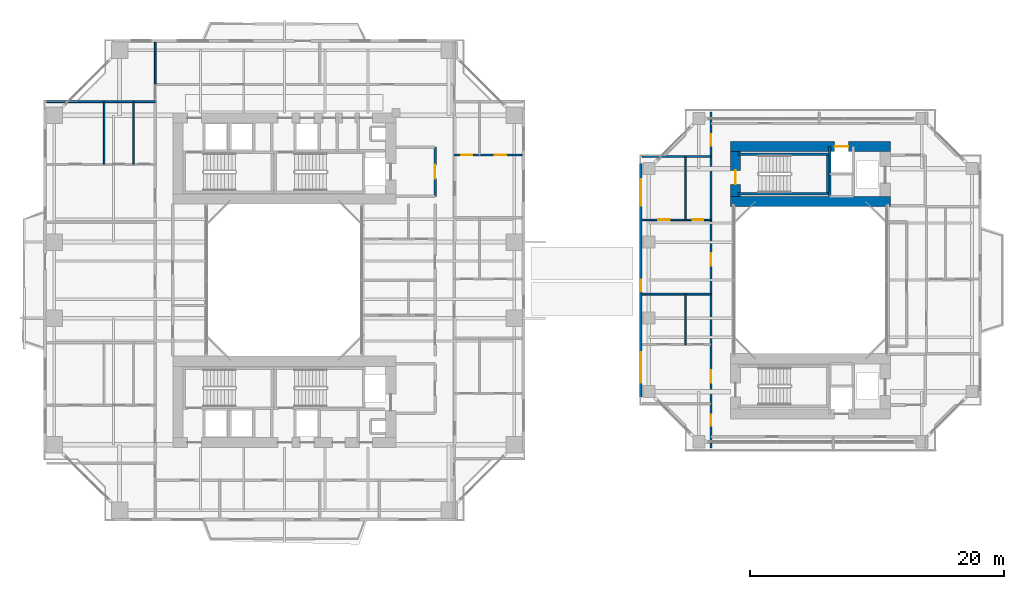
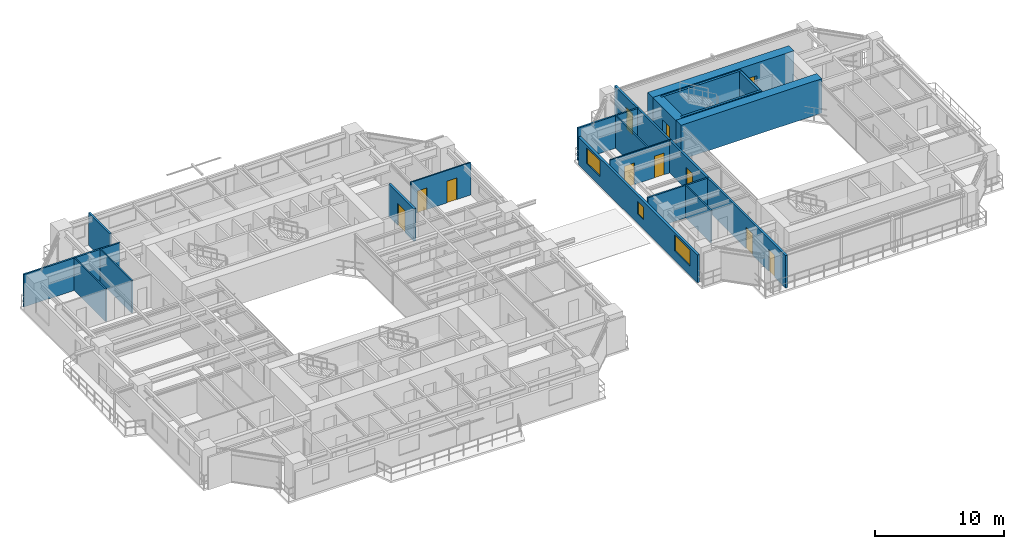
# One storey, part 15 of 23: 20 walls, 11 doors, 3 windows, 14 openings.
"""IFC4 building model written with IfcOpenShell, lengths in metres."""

import ifcopenshell
import ifcopenshell.guid

model = None  # the IFC model being written
_history = None  # IfcOwnerHistory: only IFC2X3 demands one
_inside = {}  # id of a spatial element -> (the spatial element, [elements in it])
_under = {}  # id of a project, library or spatial element -> (it, [spatial elements below it])
_declared = {}  # id of a project -> (the project, [libraries it declares])
_typed = {}  # id of a type object -> (the type object, [elements of that type])
_made_of = {}  # id of a material, layer set ... -> (it, [elements and type objects made of it])


def new_model(schema):
    """Start an empty IFC model of exactly this schema.

    Asked for "IFC4X3", IfcOpenShell would pick the latest addendum, in which some entities
    have other attributes; the version numbers below select the first issue.
    IFC2X3 requires an IfcOwnerHistory on every rooted entity: one is made here for all.
    """
    global model, _history
    if schema == "IFC4X3":
        model = ifcopenshell.file(schema_version=(4, 3, 0, 0))
    else:
        model = ifcopenshell.file(schema=schema)
    _inside.clear()
    _under.clear()
    _declared.clear()
    _typed.clear()
    _made_of.clear()
    _history = None
    if model.schema == "IFC2X3":
        org = make("IfcOrganization", Name="unknown")
        user = make(
            "IfcPersonAndOrganization",
            ThePerson=make("IfcPerson", FamilyName="unknown"),
            TheOrganization=org,
        )
        app = make(
            "IfcApplication",
            ApplicationDeveloper=org,
            Version="unknown",
            ApplicationFullName="unknown",
            ApplicationIdentifier="unknown",
        )
        _history = make(
            "IfcOwnerHistory",
            OwningUser=user,
            OwningApplication=app,
            ChangeAction="ADDED",
            CreationDate=0,
        )
    return model


def make(cls, **values):
    """One entity of the class cls with the attributes given. An attribute that is None is left unset."""
    return model.create_entity(
        cls, **{name: value for name, value in values.items() if value is not None}
    )


def rooted(cls, **values):
    """An entity with a GlobalId (a new one), such as an element, a storey or a relation."""
    return make(cls, GlobalId=ifcopenshell.guid.new(), OwnerHistory=_history, **values)


def si_unit(unit_type, name, prefix=None):
    """IfcSIUnit, for example si_unit("LENGTHUNIT", "METRE", prefix="MILLI")."""
    return make("IfcSIUnit", UnitType=unit_type, Prefix=prefix, Name=name)


def assignment(units):
    """IfcUnitAssignment: the units of a project."""
    return None if units is None else make("IfcUnitAssignment", Units=units)


def point(xyz):
    """IfcCartesianPoint."""
    return None if xyz is None else make("IfcCartesianPoint", Coordinates=xyz)


def direction(xyz):
    """IfcDirection."""
    return None if xyz is None else make("IfcDirection", DirectionRatios=xyz)


def frame(location, z_axis=None, x_axis=None):
    """IfcAxis2Placement3D, a coordinate frame: its origin and axes. An axis left out is left unset."""
    return make(
        "IfcAxis2Placement3D",
        Location=point(location),
        Axis=direction(z_axis),
        RefDirection=direction(x_axis),
    )


def frame_2d(location, x_axis=None):
    """IfcAxis2Placement2D, a coordinate frame in the plane: its origin and x axis."""
    return make(
        "IfcAxis2Placement2D", Location=point(location), RefDirection=direction(x_axis)
    )


def origin():
    """The frame at (0, 0, 0) with its axes left unset."""
    return frame((0.0, 0.0, 0.0))


def place(relative_to, where):
    """IfcLocalPlacement: puts the frame where relative to a parent placement (None: the world)."""
    return make(
        "IfcLocalPlacement", PlacementRelTo=relative_to, RelativePlacement=where
    )


def context(
    kind, dimensions, precision=None, world=None, true_north=None, identifier=None
):
    """IfcGeometricRepresentationContext, for example the 3D "Model" context."""
    return make(
        "IfcGeometricRepresentationContext",
        ContextIdentifier=identifier,
        ContextType=kind,
        CoordinateSpaceDimension=dimensions,
        Precision=precision,
        WorldCoordinateSystem=world,
        TrueNorth=true_north,
    )


def subcontext(parent, identifier, kind, view, scale=None):
    """IfcGeometricRepresentationSubContext, for example "Body" below "Model"."""
    return make(
        "IfcGeometricRepresentationSubContext",
        ContextIdentifier=identifier,
        ContextType=kind,
        ParentContext=parent,
        TargetScale=scale,
        TargetView=view,
    )


def project(units=None, contexts=None):
    """IfcProject with its units and contexts."""
    return rooted(
        "IfcProject",
        Name="project",
        RepresentationContexts=contexts,
        UnitsInContext=assignment(units),
    )


def spatial(cls, under=None, at=None, **own):
    """A site, building, storey or space (cls), placed at a placement, below another one or the project."""
    s = rooted(cls, ObjectPlacement=at, **own)
    if under is not None:
        _under.setdefault(under.id(), (under, []))[1].append(s)
    return s


def profile(cls, at=None, kind="AREA", **sizes):
    """A parametric profile (cls). Its sizes go by their IFC names, for example OverallWidth=200.0."""
    return make(cls, ProfileType=kind, Position=at, **sizes)


def rectangle(**sizes):
    """IfcRectangleProfileDef."""
    return profile("IfcRectangleProfileDef", **sizes)


def extrude(swept, where, along, depth):
    """IfcExtrudedAreaSolid: the profile swept, set in the frame where, extruded along a direction by depth."""
    return make(
        "IfcExtrudedAreaSolid",
        SweptArea=swept,
        Position=where,
        ExtrudedDirection=direction(along),
        Depth=depth,
    )


def shape(context_of_items, identifier, shape_type, items):
    """IfcShapeRepresentation: the items that make up one representation, for example the "Body"."""
    return make(
        "IfcShapeRepresentation",
        ContextOfItems=context_of_items,
        RepresentationIdentifier=identifier,
        RepresentationType=shape_type,
        Items=items,
    )


def source(mapping_origin, context_of_items, identifier, shape_type, items):
    """IfcRepresentationMap: a shape defined once, which mapped items show again and again."""
    return make(
        "IfcRepresentationMap",
        MappingOrigin=mapping_origin,
        MappedRepresentation=shape(context_of_items, identifier, shape_type, items),
    )


def transform(
    local_origin,
    x_axis=None,
    y_axis=None,
    z_axis=None,
    scale=None,
    scale2=None,
    scale3=None,
    uniform=True,
):
    """IfcCartesianTransformationOperator3D, or its non-uniform kind. x_axis, y_axis, z_axis: its Axis1, 2, 3."""
    if uniform:
        return make(
            "IfcCartesianTransformationOperator3D",
            Axis1=direction(x_axis),
            Axis2=direction(y_axis),
            LocalOrigin=point(local_origin),
            Scale=scale,
            Axis3=direction(z_axis),
        )
    return make(
        "IfcCartesianTransformationOperator3DnonUniform",
        Axis1=direction(x_axis),
        Axis2=direction(y_axis),
        LocalOrigin=point(local_origin),
        Scale=scale,
        Axis3=direction(z_axis),
        Scale2=scale2,
        Scale3=scale3,
    )


def mapped(mapping_source, mapping_target):
    """IfcMappedItem: shows the shape of a source again, moved by a transform."""
    return make(
        "IfcMappedItem", MappingSource=mapping_source, MappingTarget=mapping_target
    )


def material(Name=None, Category=None):
    """IfcMaterial."""
    return make("IfcMaterial", Name=Name, Category=Category)


def layer(
    of_material, thickness, ventilated=None, Name=None, Category=None, Priority=None
):
    """IfcMaterialLayer: one layer of a wall or slab, of a material (None: an air gap)."""
    return make(
        "IfcMaterialLayer",
        Material=of_material,
        LayerThickness=thickness,
        IsVentilated=ventilated,
        Name=Name,
        Category=Category,
        Priority=Priority,
    )


def layer_set(layers, Name=None):
    """IfcMaterialLayerSet."""
    return make("IfcMaterialLayerSet", MaterialLayers=layers, LayerSetName=Name)


def made_of(thing, what):
    """Note that an element or type object is made of a material, layer set ...; save() writes the relation."""
    if what is not None:
        _made_of.setdefault(what.id(), (what, []))[1].append(thing)
    return thing


def type_object(cls, material=None, **own):
    """A type object (cls), such as IfcWallType, which elements share."""
    return made_of(rooted(cls, **own), material)


def element(
    cls,
    number,
    at=None,
    inside=None,
    cuts=None,
    type_object=None,
    material=None,
    context=None,
    identifier="Body",
    shape_type=None,
    held_by="IfcProductDefinitionShape",
    body=None,
    shapes=None,
    **own,
):
    """One element of the class cls, such as IfcWall. Its Tag is "e" and its number.

    at: its placement. inside: the storey or other place that contains it. cuts: it is an
    opening in that element (IfcRelVoidsElement). A single representation is given by context,
    identifier, shape_type and body (its items); several are given by shapes. held_by: the class
    of the entity that holds the representations. save() writes the other relations.
    """
    e = rooted(cls, Tag="e%d" % number, ObjectPlacement=at, **own)
    if body is not None:
        shapes = [shape(context, identifier, shape_type, body)]
    if shapes is not None:
        e.Representation = make(held_by, Representations=shapes)
    if inside is not None:
        _inside.setdefault(inside.id(), (inside, []))[1].append(e)
    if cuts is not None:
        rooted(
            "IfcRelVoidsElement", RelatingBuildingElement=cuts, RelatedOpeningElement=e
        )
    if type_object is not None:
        _typed.setdefault(type_object.id(), (type_object, []))[1].append(e)
    return made_of(e, material)


def fill(opening, filler):
    """IfcRelFillsElement: the door or window that sits in an opening."""
    return rooted(
        "IfcRelFillsElement",
        RelatingOpeningElement=opening,
        RelatedBuildingElement=filler,
    )


def aggregate(whole, parts):
    """IfcRelAggregates: a whole, such as a stair, and the parts it consists of."""
    return rooted("IfcRelAggregates", RelatingObject=whole, RelatedObjects=parts)


def save(model, path):
    """Write the relations noted so far, then the file.

    IfcRelAggregates (storeys below a building ...), IfcRelContainedInSpatialStructure (elements
    in a storey), IfcRelDefinesByType, IfcRelAssociatesMaterial and IfcRelDeclares: one each for
    every whole, place, type object, material and project.
    """
    for whole, parts in _under.values():
        aggregate(whole, parts)
    for where, things in _inside.values():
        rooted(
            "IfcRelContainedInSpatialStructure",
            RelatedElements=things,
            RelatingStructure=where,
        )
    for kind, things in _typed.values():
        rooted("IfcRelDefinesByType", RelatedObjects=things, RelatingType=kind)
    for what, things in _made_of.values():
        rooted("IfcRelAssociatesMaterial", RelatedObjects=things, RelatingMaterial=what)
    for by, libraries in _declared.values():
        rooted("IfcRelDeclares", RelatingContext=by, RelatedDefinitions=libraries)
    model.write(path)


model = new_model("IFC4")

# Units and contexts
model_context = context("Model", 3, precision=1e-05, world=origin(), true_north=direction((0.0, 1.0)))
body_context = subcontext(model_context, "Body", "Model", "MODEL_VIEW")
ifc_project = project(units=[si_unit("LENGTHUNIT", "METRE"), si_unit("AREAUNIT", "SQUARE_METRE"), si_unit("VOLUMEUNIT", "CUBIC_METRE"), si_unit("PLANEANGLEUNIT", "RADIAN"), si_unit("MASSUNIT", "GRAM", prefix="KILO"), si_unit("THERMODYNAMICTEMPERATUREUNIT", "KELVIN"), si_unit("POWERUNIT", "WATT")], contexts=[model_context])

# Site, building, storey
site_placement = place(None, origin())
site = spatial("IfcSite", under=ifc_project, at=site_placement, CompositionType="ELEMENT")
building_placement = place(site_placement, origin())
building = spatial("IfcBuilding", under=site, at=building_placement, Name="Qiaomeng Ring Towers", CompositionType="ELEMENT")
storey_placement = place(building_placement, frame((0.0, 0.0, 50.25)))
storey = spatial("IfcBuildingStorey", under=building, at=storey_placement, Name="L13", CompositionType="ELEMENT", Elevation=50.25)

# Wall, openings, windows
ifc_material_1 = material(Name="Precast concrete C40", Category="concrete")
ifc_layer_1 = layer(ifc_material_1, 0.219970703125, Name="Precast concrete C40")
ifc_layer_set_1 = layer_set([ifc_layer_1], Name="Precast concrete C40")
wall_type_1 = type_object("IfcWallType", Name="ARC-WL-EW2", PredefinedType="STANDARD", material=ifc_layer_set_1)
wall_1_placement = place(storey_placement, frame((47.110107421875, 13.800048828125, 0.0), z_axis=(0.0, 0.0, 1.0), x_axis=(0.0, 1.0, 0.0)))
wall_1 = element("IfcWall", 1, at=wall_1_placement, inside=storey, type_object=wall_type_1, Name="L13 Companion West Wall", PredefinedType="STANDARD", context=body_context, shape_type="SweptSolid", body=[
    extrude(rectangle(XDim=18.39990234375, YDim=0.219970703125, at=frame_2d((9.199951171875, 0.0))), origin(), (0.0, 0.0, 1.0), 2.610107421875),
])
opening_1_placement = place(wall_1_placement, frame((1.10009765625, 0.0, 0.89990234375)))
opening_1 = element("IfcOpeningElement", 2, at=opening_1_placement, cuts=wall_1, Name="Opening WN6", PredefinedType="OPENING", context=body_context, shape_type="SweptSolid", body=[
    extrude(rectangle(XDim=2.39990234375, YDim=1.47998046875, at=frame_2d((1.199951171875, 0.739990234375))), frame((0.0, 0.119873046875, 0.0), z_axis=(0.0, -1.0, 0.0), x_axis=(1.0, 0.0, 0.0)), (0.0, 0.0, 1.0), 0.239990234375),
])
opening_2_placement = place(wall_1_placement, frame((15.050048828125, 0.0, 0.89990234375)))
opening_2 = element("IfcOpeningElement", 3, at=opening_2_placement, cuts=wall_1, Name="Opening WN4", PredefinedType="OPENING", context=body_context, shape_type="SweptSolid", body=[
    extrude(rectangle(XDim=2.10009765625, YDim=1.47998046875, at=frame_2d((1.050048828125, 0.739990234375))), frame((0.0, 0.119873046875, 0.0), z_axis=(0.0, -1.0, 0.0), x_axis=(1.0, 0.0, 0.0)), (0.0, 0.0, 1.0), 0.239990234375),
])
opening_3_placement = place(wall_1_placement, frame((8.3349609375, 0.0, 0.89990234375)))
opening_3 = element("IfcOpeningElement", 4, at=opening_3_placement, cuts=wall_1, Name="Opening WN5", PredefinedType="OPENING", context=body_context, shape_type="SweptSolid", body=[
    extrude(rectangle(XDim=0.89990234375, YDim=1.199951171875, at=frame_2d((0.449951171875, 0.60009765625))), frame((0.0, 0.119873046875, 0.0), z_axis=(0.0, -1.0, 0.0), x_axis=(1.0, 0.0, 0.0)), (0.0, 0.0, 1.0), 0.239990234375),
])
ifc_material_2 = material(Name="Low-E dark-grey laminated double glazing", Category="glass")
window_type_1 = type_object("IfcWindowType", Name="ARC-WN-4", PartitioningType="TRIPLE_PANEL_VERTICAL", PredefinedType="WINDOW", material=ifc_material_2)
shared_shape_1 = source(origin(), body_context, "Body", "SweptSolid", [
    extrude(rectangle(XDim=2.10009765625, YDim=1.47998046875, at=frame_2d((1.050048828125, 0.739990234375))), frame((0.0, 0.030029296875, 0.0), z_axis=(0.0, -1.0, 0.0), x_axis=(1.0, 0.0, 0.0)), (0.0, 0.0, 1.0), 0.06005859375),
])
window_1_placement = place(opening_2_placement, origin())
window_1 = element("IfcWindow", 5, at=window_1_placement, inside=storey, type_object=window_type_1, Name="L13 Exterior Window WN4", OverallHeight=1.47998046875, OverallWidth=2.10009765625, PartitioningType="TRIPLE_PANEL_VERTICAL", PredefinedType="WINDOW", context=body_context, shape_type="MappedRepresentation", body=[
    mapped(shared_shape_1, transform((0.0, 0.0, 0.0), x_axis=(1.0, 0.0, 0.0), y_axis=(0.0, 1.0, 0.0), z_axis=(0.0, 0.0, 1.0), scale=1.0)),
])
fill(opening_2, window_1)
window_type_2 = type_object("IfcWindowType", Name="ARC-WN-6", PartitioningType="TRIPLE_PANEL_VERTICAL", PredefinedType="WINDOW", material=ifc_material_2)
shared_shape_2 = source(origin(), body_context, "Body", "SweptSolid", [
    extrude(rectangle(XDim=2.39990234375, YDim=1.47998046875, at=frame_2d((1.199951171875, 0.739990234375))), frame((0.0, 0.030029296875, 0.0), z_axis=(0.0, -1.0, 0.0), x_axis=(1.0, 0.0, 0.0)), (0.0, 0.0, 1.0), 0.06005859375),
])
window_2_placement = place(opening_1_placement, origin())
window_2 = element("IfcWindow", 6, at=window_2_placement, inside=storey, type_object=window_type_2, Name="L13 Exterior Window WN6", OverallHeight=1.47998046875, OverallWidth=2.39990234375, PartitioningType="TRIPLE_PANEL_VERTICAL", PredefinedType="WINDOW", context=body_context, shape_type="MappedRepresentation", body=[
    mapped(shared_shape_2, transform((0.0, 0.0, 0.0), x_axis=(1.0, 0.0, 0.0), y_axis=(0.0, 1.0, 0.0), z_axis=(0.0, 0.0, 1.0), scale=1.0)),
])
fill(opening_1, window_2)
window_type_3 = type_object("IfcWindowType", Name="ARC-WN-5", PartitioningType="SINGLE_PANEL", PredefinedType="WINDOW", material=ifc_material_2)
shared_shape_3 = source(origin(), body_context, "Body", "SweptSolid", [
    extrude(rectangle(XDim=0.89990234375, YDim=1.199951171875, at=frame_2d((0.449951171875, 0.60009765625))), frame((0.0, 0.030029296875, 0.0), z_axis=(0.0, -1.0, 0.0), x_axis=(1.0, 0.0, 0.0)), (0.0, 0.0, 1.0), 0.06005859375),
])
window_3_placement = place(opening_3_placement, origin())
window_3 = element("IfcWindow", 7, at=window_3_placement, inside=storey, type_object=window_type_3, Name="L13 Exterior Window WN5", OverallHeight=1.199951171875, OverallWidth=0.89990234375, PartitioningType="SINGLE_PANEL", PredefinedType="WINDOW", context=body_context, shape_type="MappedRepresentation", body=[
    mapped(shared_shape_3, transform((0.0, 0.0, 0.0), x_axis=(1.0, 0.0, 0.0), y_axis=(0.0, 1.0, 0.0), z_axis=(0.0, 0.0, 1.0), scale=1.0)),
])
fill(opening_3, window_3)

# Wall, opening, door
ifc_material_3 = material(Name="Autoclaved aerated concrete block", Category="concrete")
ifc_layer_2 = layer(ifc_material_3, 0.199951171875, Name="Autoclaved aerated concrete block")
ifc_layer_set_2 = layer_set([ifc_layer_2], Name="Autoclaved aerated concrete block")
wall_type_2 = type_object("IfcWallType", Name="ARC-WL-PW1", PredefinedType="PARTITIONING", material=ifc_layer_set_2)
wall_2_placement = place(storey_placement, frame((30.89990234375, 29.60009765625, 0.0), z_axis=(0.0, 0.0, 1.0), x_axis=(0.0, 1.0, 0.0)))
wall_2 = element("IfcWall", 8, at=wall_2_placement, inside=storey, type_object=wall_type_2, Name="L13 Interior Wall PW1", PredefinedType="PARTITIONING", context=body_context, shape_type="SweptSolid", body=[
    extrude(rectangle(XDim=3.89990234375, YDim=0.199951171875, at=frame_2d((1.949951171875, 0.0))), origin(), (0.0, 0.0, 1.0), 3.070068359375),
])
opening_4_placement = place(wall_2_placement, frame((1.39990234375, 0.0, 0.0)))
opening_4 = element("IfcOpeningElement", 9, at=opening_4_placement, cuts=wall_2, Name="Opening FD3", PredefinedType="OPENING", context=body_context, shape_type="SweptSolid", body=[
    extrude(rectangle(XDim=1.10009765625, YDim=2.050048828125, at=frame_2d((0.550048828125, 1.02490234375))), frame((0.0, 0.10986328125, 0.0), z_axis=(0.0, -1.0, 0.0), x_axis=(1.0, 0.0, 0.0)), (0.0, 0.0, 1.0), 0.219970703125),
])
ifc_material_4 = material(Name="Galvanised steel", Category="steel")
door_type_1 = type_object("IfcDoorType", Name="ARC-DR-FD3", OperationType="NOTDEFINED", PredefinedType="DOOR", material=ifc_material_4)
shared_shape_4 = source(origin(), body_context, "Body", "SweptSolid", [
    extrude(rectangle(XDim=1.10009765625, YDim=2.050048828125, at=frame_2d((0.550048828125, 1.02490234375))), frame((0.0, 0.02490234375, 0.0), z_axis=(0.0, -1.0, 0.0), x_axis=(1.0, 0.0, 0.0)), (0.0, 0.0, 1.0), 0.050048828125),
])
door_1_placement = place(opening_4_placement, origin())
door_1 = element("IfcDoor", 10, at=door_1_placement, inside=storey, type_object=door_type_1, Name="L13 North FF Lobby Door", OperationType="SINGLE_SWING_RIGHT", OverallHeight=2.050048828125, OverallWidth=1.10009765625, PredefinedType="DOOR", context=body_context, shape_type="MappedRepresentation", body=[
    mapped(shared_shape_4, transform((0.0, 0.0, 0.0), x_axis=(1.0, 0.0, 0.0), y_axis=(0.0, 1.0, 0.0), z_axis=(0.0, 0.0, 1.0), scale=1.0)),
])
fill(opening_4, door_1)

# Wall, openings, doors
ifc_layer_3 = layer(ifc_material_3, 0.179931640625, Name="Autoclaved aerated concrete block")
ifc_layer_set_3 = layer_set([ifc_layer_3], Name="Autoclaved aerated concrete block")
wall_type_3 = type_object("IfcWallType", Name="ARC-WL-PW2", PredefinedType="PARTITIONING", material=ifc_layer_set_3)
wall_3_placement = place(storey_placement, frame((52.64990234375, 9.75, 0.0), z_axis=(0.0, 0.0, 1.0), x_axis=(0.0, 1.0, 0.0)))
wall_3 = element("IfcWall", 11, at=wall_3_placement, inside=storey, type_object=wall_type_3, Name="L13 Interior Wall PW2", PredefinedType="PARTITIONING", context=body_context, shape_type="SweptSolid", body=[
    extrude(rectangle(XDim=26.5, YDim=0.179931640625, at=frame_2d((13.25, 0.0))), origin(), (0.0, 0.0, 1.0), 3.070068359375),
])
opening_5_placement = place(wall_3_placement, frame((23.85009765625, 0.0, 0.0)))
opening_5 = element("IfcOpeningElement", 12, at=opening_5_placement, cuts=wall_3, Name="Opening ID1", PredefinedType="OPENING", context=body_context, shape_type="SweptSolid", body=[
    extrude(rectangle(XDim=0.89990234375, YDim=2.050048828125, at=frame_2d((0.449951171875, 1.02490234375))), frame((0.0, 0.099853515625, 0.0), z_axis=(0.0, -1.0, 0.0), x_axis=(1.0, 0.0, 0.0)), (0.0, 0.0, 1.0), 0.199951171875),
])
opening_6_placement = place(wall_3_placement, frame((1.75, 0.0, 0.0)))
opening_6 = element("IfcOpeningElement", 13, at=opening_6_placement, cuts=wall_3, Name="Opening ID1", PredefinedType="OPENING", context=body_context, shape_type="SweptSolid", body=[
    extrude(rectangle(XDim=0.89990234375, YDim=2.050048828125, at=frame_2d((0.449951171875, 1.02490234375))), frame((0.0, 0.099853515625, 0.0), z_axis=(0.0, -1.0, 0.0), x_axis=(1.0, 0.0, 0.0)), (0.0, 0.0, 1.0), 0.199951171875),
])
opening_7_placement = place(wall_3_placement, frame((5.14501953125, 0.0, 0.0)))
opening_7 = element("IfcOpeningElement", 14, at=opening_7_placement, cuts=wall_3, Name="Opening FD4", PredefinedType="OPENING", context=body_context, shape_type="SweptSolid", body=[
    extrude(rectangle(XDim=1.0, YDim=2.050048828125, at=frame_2d((0.5, 1.02490234375))), frame((0.0, 0.099853515625, 0.0), z_axis=(0.0, -1.0, 0.0), x_axis=(1.0, 0.0, 0.0)), (0.0, 0.0, 1.0), 0.199951171875),
])
opening_8_placement = place(wall_3_placement, frame((14.389892578125, 0.0, 0.0)))
opening_8 = element("IfcOpeningElement", 15, at=opening_8_placement, cuts=wall_3, Name="Opening FD4", PredefinedType="OPENING", context=body_context, shape_type="SweptSolid", body=[
    extrude(rectangle(XDim=1.0, YDim=2.050048828125, at=frame_2d((0.5, 1.02490234375))), frame((0.0, 0.099853515625, 0.0), z_axis=(0.0, -1.0, 0.0), x_axis=(1.0, 0.0, 0.0)), (0.0, 0.0, 1.0), 0.199951171875),
])
ifc_material_5 = material(Name="Engineered fire-rated oak timber", Category="wood")
door_type_2 = type_object("IfcDoorType", Name="ARC-DR-FD4", OperationType="NOTDEFINED", PredefinedType="DOOR", material=ifc_material_5)
shared_shape_5 = source(origin(), body_context, "Body", "SweptSolid", [
    extrude(rectangle(XDim=1.0, YDim=2.050048828125, at=frame_2d((0.5, 1.02490234375))), frame((0.0, 0.02490234375, 0.0), z_axis=(0.0, -1.0, 0.0), x_axis=(1.0, 0.0, 0.0)), (0.0, 0.0, 1.0), 0.050048828125),
])
door_2_placement = place(opening_7_placement, origin())
door_2 = element("IfcDoor", 16, at=door_2_placement, inside=storey, type_object=door_type_2, Name="L13 Door FD4", OperationType="SINGLE_SWING_LEFT", OverallHeight=2.050048828125, OverallWidth=1.0, PredefinedType="DOOR", context=body_context, shape_type="MappedRepresentation", body=[
    mapped(shared_shape_5, transform((0.0, 0.0, 0.0), x_axis=(1.0, 0.0, 0.0), y_axis=(0.0, 1.0, 0.0), z_axis=(0.0, 0.0, 1.0), scale=1.0)),
])
fill(opening_7, door_2)
door_3_placement = place(opening_8_placement, origin())
door_3 = element("IfcDoor", 17, at=door_3_placement, inside=storey, type_object=door_type_2, Name="L13 Door FD4", OperationType="SINGLE_SWING_RIGHT", OverallHeight=2.050048828125, OverallWidth=1.0, PredefinedType="DOOR", context=body_context, shape_type="MappedRepresentation", body=[
    mapped(shared_shape_5, transform((0.0, 0.0, 0.0), x_axis=(1.0, 0.0, 0.0), y_axis=(0.0, 1.0, 0.0), z_axis=(0.0, 0.0, 1.0), scale=1.0)),
])
fill(opening_8, door_3)
ifc_material_6 = material(Name="Engineered oak timber", Category="wood")
door_type_3 = type_object("IfcDoorType", Name="ARC-DR-ID1", OperationType="NOTDEFINED", PredefinedType="DOOR", material=ifc_material_6)
shared_shape_6 = source(origin(), body_context, "Body", "SweptSolid", [
    extrude(rectangle(XDim=0.89990234375, YDim=2.050048828125, at=frame_2d((0.449951171875, 1.02490234375))), frame((0.0, 0.02490234375, 0.0), z_axis=(0.0, -1.0, 0.0), x_axis=(1.0, 0.0, 0.0)), (0.0, 0.0, 1.0), 0.050048828125),
])
door_4_placement = place(opening_5_placement, origin())
door_4 = element("IfcDoor", 18, at=door_4_placement, inside=storey, type_object=door_type_3, Name="L13 Door ID1", OperationType="SINGLE_SWING_LEFT", OverallHeight=2.050048828125, OverallWidth=0.89990234375, PredefinedType="DOOR", context=body_context, shape_type="MappedRepresentation", body=[
    mapped(shared_shape_6, transform((0.0, 0.0, 0.0), x_axis=(1.0, 0.0, 0.0), y_axis=(0.0, 1.0, 0.0), z_axis=(0.0, 0.0, 1.0), scale=1.0)),
])
fill(opening_5, door_4)
door_5_placement = place(opening_6_placement, origin())
door_5 = element("IfcDoor", 19, at=door_5_placement, inside=storey, type_object=door_type_3, Name="L13 Door ID1", OperationType="SINGLE_SWING_RIGHT", OverallHeight=2.050048828125, OverallWidth=0.89990234375, PredefinedType="DOOR", context=body_context, shape_type="MappedRepresentation", body=[
    mapped(shared_shape_6, transform((0.0, 0.0, 0.0), x_axis=(1.0, 0.0, 0.0), y_axis=(0.0, 1.0, 0.0), z_axis=(0.0, 0.0, 1.0), scale=1.0)),
])
fill(opening_6, door_5)

# Walls
ifc_material_7 = material(Name="Gypsum fireboard steel-stud partition", Category="steel")
ifc_layer_4 = layer(ifc_material_7, 0.14990234375, Name="Gypsum fireboard steel-stud partition")
ifc_layer_set_4 = layer_set([ifc_layer_4], Name="Gypsum fireboard steel-stud partition")
wall_type_4 = type_object("IfcWallType", Name="ARC-WL-PW3", PredefinedType="PARTITIONING", material=ifc_layer_set_4)
wall_4_placement = place(storey_placement, frame((8.820068359375, 38.43994140625, 0.0), z_axis=(0.0, 0.0, 1.0), x_axis=(0.0, 1.0, 0.0)))
element("IfcWall", 20, at=wall_4_placement, inside=storey, type_object=wall_type_4, Name="L13 Interior Wall PW3", PredefinedType="PARTITIONING", context=body_context, shape_type="SweptSolid", body=[
    extrude(rectangle(XDim=3.31005859375, YDim=0.14990234375, at=frame_2d((1.655029296875, 0.0))), origin(), (0.0, 0.0, 1.0), 3.070068359375),
])
wall_5_placement = place(storey_placement, frame((0.25, 37.080078125, 0.0), z_axis=(0.0, 0.0, 1.0), x_axis=(1.0, 0.0, 0.0)))
element("IfcWall", 21, at=wall_5_placement, inside=storey, type_object=wall_type_4, Name="L13 Interior Wall PW3", PredefinedType="PARTITIONING", context=body_context, shape_type="SweptSolid", body=[
    extrude(rectangle(XDim=8.570068359375, YDim=0.14990234375, at=frame_2d((4.28515625, 0.0))), origin(), (0.0, 0.0, 1.0), 3.070068359375),
])
for number, where, z_axis, x_axis, name in (
    (22, (47.25, 32.75, 0.0), (0.0, 0.0, 1.0), (1.0, 0.0, 0.0), "L13 Interior Wall PW3"),
    (23, (47.25, 21.89990234375, 0.0), (0.0, 0.0, 1.0), (1.0, 0.0, 0.0), "L13 Interior Wall PW3"),
):
    element("IfcWall", number, at=place(storey_placement, frame(where, z_axis=z_axis, x_axis=x_axis)), inside=storey, type_object=wall_type_4, Name=name, PredefinedType="PARTITIONING", context=body_context, shape_type="SweptSolid", body=[
        extrude(rectangle(XDim=5.39990234375, YDim=0.14990234375, at=frame_2d((2.699951171875, 0.0))), origin(), (0.0, 0.0, 1.0), 3.070068359375),
    ])
ifc_material_8 = material(Name="Moisture-resistant gypsum steel-stud partition", Category="steel")
ifc_layer_5 = layer(ifc_material_8, 0.1201171875, Name="Moisture-resistant gypsum steel-stud partition")
ifc_layer_set_5 = layer_set([ifc_layer_5], Name="Moisture-resistant gypsum steel-stud partition")
wall_type_5 = type_object("IfcWallType", Name="ARC-WL-PW4", PredefinedType="PLUMBINGWALL", material=ifc_layer_set_5)
for number, where, z_axis, x_axis, name in (
    (24, (4.780029296875, 32.139892578125, 0.0), (0.0, 0.0, 1.0), (0.0, 1.0, 0.0), "L13 Interior Wall PW4"),
    (25, (7.10009765625, 32.139892578125, 0.0), (0.0, 0.0, 1.0), (0.0, 1.0, 0.0), "L13 Interior Wall PW4"),
):
    element("IfcWall", number, at=place(storey_placement, frame(where, z_axis=z_axis, x_axis=x_axis)), inside=storey, type_object=wall_type_5, Name=name, PredefinedType="PLUMBINGWALL", context=body_context, shape_type="SweptSolid", body=[
        extrude(rectangle(XDim=4.940185546875, YDim=0.1201171875, at=frame_2d((2.47021484375, 0.0))), origin(), (0.0, 0.0, 1.0), 3.070068359375),
    ])

# Wall, openings, doors
wall_6_placement = place(storey_placement, frame((32.39990234375, 32.8701171875, 0.0), z_axis=(0.0, 0.0, 1.0), x_axis=(1.0, 0.0, 0.0)))
wall_6 = element("IfcWall", 26, at=wall_6_placement, inside=storey, type_object=wall_type_5, Name="L13 Interior Wall PW4", PredefinedType="PLUMBINGWALL", context=body_context, shape_type="SweptSolid", body=[
    extrude(rectangle(XDim=5.35009765625, YDim=0.1201171875, at=frame_2d((2.675048828125, 0.0))), origin(), (0.0, 0.0, 1.0), 3.070068359375),
])
opening_9_placement = place(wall_6_placement, frame((0.574951171875, 0.0, 0.0)))
opening_9 = element("IfcOpeningElement", 27, at=opening_9_placement, cuts=wall_6, Name="Opening ID2", PredefinedType="OPENING", context=body_context, shape_type="SweptSolid", body=[
    extrude(rectangle(XDim=0.85009765625, YDim=2.050048828125, at=frame_2d((0.425048828125, 1.02490234375))), frame((0.0, 0.070068359375, 0.0), z_axis=(0.0, -1.0, 0.0), x_axis=(1.0, 0.0, 0.0)), (0.0, 0.0, 1.0), 0.14013671875),
])
opening_10_placement = place(wall_6_placement, frame((3.205078125, 0.0, 0.0)))
opening_10 = element("IfcOpeningElement", 28, at=opening_10_placement, cuts=wall_6, Name="Opening ID1", PredefinedType="OPENING", context=body_context, shape_type="SweptSolid", body=[
    extrude(rectangle(XDim=0.89990234375, YDim=2.050048828125, at=frame_2d((0.449951171875, 1.02490234375))), frame((0.0, 0.070068359375, 0.0), z_axis=(0.0, -1.0, 0.0), x_axis=(1.0, 0.0, 0.0)), (0.0, 0.0, 1.0), 0.14013671875),
])
ifc_material_9 = material(Name="Moisture-resistant engineered timber", Category="wood")
door_type_4 = type_object("IfcDoorType", Name="ARC-DR-ID2", OperationType="NOTDEFINED", PredefinedType="DOOR", material=ifc_material_9)
shared_shape_7 = source(origin(), body_context, "Body", "SweptSolid", [
    extrude(rectangle(XDim=0.85009765625, YDim=2.050048828125, at=frame_2d((0.425048828125, 1.02490234375))), frame((0.0, 0.02490234375, 0.0), z_axis=(0.0, -1.0, 0.0), x_axis=(1.0, 0.0, 0.0)), (0.0, 0.0, 1.0), 0.050048828125),
])
door_6_placement = place(opening_9_placement, origin())
door_6 = element("IfcDoor", 29, at=door_6_placement, inside=storey, type_object=door_type_4, Name="L13 Door ID2", OperationType="SINGLE_SWING_RIGHT", OverallHeight=2.050048828125, OverallWidth=0.85009765625, PredefinedType="DOOR", context=body_context, shape_type="MappedRepresentation", body=[
    mapped(shared_shape_7, transform((0.0, 0.0, 0.0), x_axis=(1.0, 0.0, 0.0), y_axis=(0.0, 1.0, 0.0), z_axis=(0.0, 0.0, 1.0), scale=1.0)),
])
fill(opening_9, door_6)
door_7_placement = place(opening_10_placement, origin())
door_7 = element("IfcDoor", 30, at=door_7_placement, inside=storey, type_object=door_type_3, Name="L13 Door ID1", OperationType="SINGLE_SWING_LEFT", OverallHeight=2.050048828125, OverallWidth=0.89990234375, PredefinedType="DOOR", context=body_context, shape_type="MappedRepresentation", body=[
    mapped(shared_shape_6, transform((0.0, 0.0, 0.0), x_axis=(1.0, 0.0, 0.0), y_axis=(0.0, 1.0, 0.0), z_axis=(0.0, 0.0, 1.0), scale=1.0)),
])
fill(opening_10, door_7)

# Wall
wall_7_placement = place(storey_placement, frame((50.64990234375, 17.919921875, 0.0), z_axis=(0.0, 0.0, 1.0), x_axis=(0.0, 1.0, 0.0)))
element("IfcWall", 31, at=wall_7_placement, inside=storey, type_object=wall_type_5, Name="L13 Interior Wall PW4", PredefinedType="PLUMBINGWALL", context=body_context, shape_type="SweptSolid", body=[
    extrude(rectangle(XDim=3.97998046875, YDim=0.1201171875, at=frame_2d((1.989990234375, 0.0))), origin(), (0.0, 0.0, 1.0), 3.070068359375),
])

# Wall, openings, doors
wall_8_placement = place(storey_placement, frame((47.25, 27.760009765625, 0.0), z_axis=(0.0, 0.0, 1.0), x_axis=(1.0, 0.0, 0.0)))
wall_8 = element("IfcWall", 32, at=wall_8_placement, inside=storey, type_object=wall_type_5, Name="L13 Interior Wall PW4", PredefinedType="PLUMBINGWALL", context=body_context, shape_type="SweptSolid", body=[
    extrude(rectangle(XDim=5.39990234375, YDim=0.1201171875, at=frame_2d((2.699951171875, 0.0))), origin(), (0.0, 0.0, 1.0), 3.070068359375),
])
opening_11_placement = place(wall_8_placement, frame((1.260009765625, 0.0, 0.0)))
opening_11 = element("IfcOpeningElement", 33, at=opening_11_placement, cuts=wall_8, Name="Opening ID1", PredefinedType="OPENING", context=body_context, shape_type="SweptSolid", body=[
    extrude(rectangle(XDim=0.89990234375, YDim=2.050048828125, at=frame_2d((0.449951171875, 1.02490234375))), frame((0.0, 0.070068359375, 0.0), z_axis=(0.0, -1.0, 0.0), x_axis=(1.0, 0.0, 0.0)), (0.0, 0.0, 1.0), 0.14013671875),
])
opening_12_placement = place(wall_8_placement, frame((3.965087890625, 0.0, 0.0)))
opening_12 = element("IfcOpeningElement", 34, at=opening_12_placement, cuts=wall_8, Name="Opening ID2", PredefinedType="OPENING", context=body_context, shape_type="SweptSolid", body=[
    extrude(rectangle(XDim=0.85009765625, YDim=2.050048828125, at=frame_2d((0.425048828125, 1.02490234375))), frame((0.0, 0.070068359375, 0.0), z_axis=(0.0, -1.0, 0.0), x_axis=(1.0, 0.0, 0.0)), (0.0, 0.0, 1.0), 0.14013671875),
])
door_8_placement = place(opening_12_placement, origin())
door_8 = element("IfcDoor", 35, at=door_8_placement, inside=storey, type_object=door_type_4, Name="L13 Door ID2", OperationType="SINGLE_SWING_RIGHT", OverallHeight=2.050048828125, OverallWidth=0.85009765625, PredefinedType="DOOR", context=body_context, shape_type="MappedRepresentation", body=[
    mapped(shared_shape_7, transform((0.0, 0.0, 0.0), x_axis=(1.0, 0.0, 0.0), y_axis=(0.0, 1.0, 0.0), z_axis=(0.0, 0.0, 1.0), scale=1.0)),
])
fill(opening_12, door_8)
door_9_placement = place(opening_11_placement, origin())
door_9 = element("IfcDoor", 36, at=door_9_placement, inside=storey, type_object=door_type_3, Name="L13 Door ID1", OperationType="SINGLE_SWING_LEFT", OverallHeight=2.050048828125, OverallWidth=0.89990234375, PredefinedType="DOOR", context=body_context, shape_type="MappedRepresentation", body=[
    mapped(shared_shape_6, transform((0.0, 0.0, 0.0), x_axis=(1.0, 0.0, 0.0), y_axis=(0.0, 1.0, 0.0), z_axis=(0.0, 0.0, 1.0), scale=1.0)),
])
fill(opening_11, door_9)

# Walls
wall_9_placement = place(storey_placement, frame((50.64990234375, 27.760009765625, 0.0), z_axis=(0.0, 0.0, 1.0), x_axis=(0.0, 1.0, 0.0)))
element("IfcWall", 37, at=wall_9_placement, inside=storey, type_object=wall_type_5, Name="L13 Interior Wall PW4", PredefinedType="PLUMBINGWALL", context=body_context, shape_type="SweptSolid", body=[
    extrude(rectangle(XDim=4.989990234375, YDim=0.1201171875, at=frame_2d((2.4951171875, 0.0))), origin(), (0.0, 0.0, 1.0), 3.070068359375),
])
ifc_material_10 = material(Name="Concrete C40", Category="concrete")
ifc_layer_6 = layer(ifc_material_10, 0.199951171875, Name="Concrete C40")
ifc_layer_set_6 = layer_set([ifc_layer_6], Name="Concrete C40")
wall_type_6 = type_object("IfcWallType", Name="STR-WL-STSHAFT", PredefinedType="SHEAR", material=ifc_layer_set_6)
wall_10_placement = place(storey_placement, frame((62.02001953125, 29.60009765625, 0.0), z_axis=(0.0, 0.0, 1.0), x_axis=(0.0, 1.0, 0.0)))
element("IfcWall", 38, at=wall_10_placement, inside=storey, type_object=wall_type_6, Name="L13 Companion Lift Shaft West Wall N", PredefinedType="SHEAR", context=body_context, shape_type="SweptSolid", body=[
    extrude(rectangle(XDim=3.949951171875, YDim=0.179931640625, at=frame_2d((1.97509765625, 0.0))), origin(), (0.0, 0.0, 1.0), 3.070068359375),
])
for number, where, z_axis, x_axis, name in (
    (39, (54.800048828125, 29.800048828125, 0.0), (0.0, 0.0, 1.0), (1.0, 0.0, 0.0), "L13 Stair ST5 South Shaft Shear Wall"),
    (40, (54.800048828125, 32.93994140625, 0.0), (0.0, 0.0, 1.0), (1.0, 0.0, 0.0), "L13 Stair ST5 North Shaft Shear Wall"),
):
    element("IfcWall", number, at=place(storey_placement, frame(where, z_axis=z_axis, x_axis=x_axis)), inside=storey, type_object=wall_type_6, Name=name, PredefinedType="SHEAR", context=body_context, shape_type="SweptSolid", body=[
        extrude(rectangle(XDim=7.14990234375, YDim=0.199951171875, at=frame_2d((3.574951171875, 0.0))), origin(), (0.0, 0.0, 1.0), 3.25),
    ])
wall_11_placement = place(storey_placement, frame((61.85009765625, 29.89990234375, 0.0), z_axis=(0.0, 0.0, 1.0), x_axis=(0.0, 1.0, 0.0)))
element("IfcWall", 41, at=wall_11_placement, inside=storey, type_object=wall_type_6, Name="L13 Stair ST5 East Shaft Shear Wall", PredefinedType="SHEAR", context=body_context, shape_type="SweptSolid", body=[
    extrude(rectangle(XDim=2.940185546875, YDim=0.199951171875, at=frame_2d((1.47021484375, 0.0))), origin(), (0.0, 0.0, 1.0), 3.25),
])
ifc_material_11 = material(Name="Concrete C60", Category="concrete")
ifc_layer_7 = layer(ifc_material_11, 0.800048828125, Name="Concrete C60")
ifc_layer_set_7 = layer_set([ifc_layer_7], Name="Concrete C60")
wall_type_7 = type_object("IfcWallType", Name="STR-WL-SW1", PredefinedType="SHEAR", material=ifc_layer_set_7)
wall_12_placement = place(storey_placement, frame((54.199951171875, 29.199951171875, 0.0), z_axis=(0.0, 0.0, 1.0), x_axis=(1.0, 0.0, 0.0)))
element("IfcWall", 42, at=wall_12_placement, inside=storey, type_object=wall_type_7, Name="L13 T2NC south core shear wall", PredefinedType="SHEAR", context=body_context, shape_type="SweptSolid", body=[
    extrude(rectangle(XDim=12.60009765625, YDim=0.800048828125, at=frame_2d((6.300048828125, 0.0))), origin(), (0.0, 0.0, 1.0), 3.25),
])

# Wall, opening, door
wall_13_placement = place(storey_placement, frame((54.199951171875, 33.550048828125, 0.0), z_axis=(0.0, 0.0, 1.0), x_axis=(1.0, 0.0, 0.0)))
wall_13 = element("IfcWall", 43, at=wall_13_placement, inside=storey, type_object=wall_type_7, Name="L13 T2NC north core shear wall", PredefinedType="SHEAR", context=body_context, shape_type="SweptSolid", body=[
    extrude(rectangle(XDim=12.60009765625, YDim=0.800048828125, at=frame_2d((6.300048828125, 0.0))), origin(), (0.0, 0.0, 1.0), 3.25),
])
opening_13_placement = place(wall_13_placement, frame((8.199951171875, 0.0, 0.0)))
opening_13 = element("IfcOpeningElement", 44, at=opening_13_placement, cuts=wall_13, Name="Opening LD1", PredefinedType="OPENING", context=body_context, shape_type="SweptSolid", body=[
    extrude(rectangle(XDim=1.10009765625, YDim=2.050048828125, at=frame_2d((0.550048828125, 1.02490234375))), frame((0.0, 0.409912109375, 0.0), z_axis=(0.0, -1.0, 0.0), x_axis=(1.0, 0.0, 0.0)), (0.0, 0.0, 1.0), 0.820068359375),
])
ifc_material_12 = material(Name="Stainless steel 316", Category="steel")
door_type_5 = type_object("IfcDoorType", Name="ARC-DR-LD1", OperationType="NOTDEFINED", PredefinedType="DOOR", material=ifc_material_12)
door_10_placement = place(opening_13_placement, origin())
door_10 = element("IfcDoor", 45, at=door_10_placement, inside=storey, type_object=door_type_5, Name="L13 Companion Lift LP7 Landing Door", OperationType="SLIDING_TO_LEFT", OverallHeight=2.050048828125, OverallWidth=1.10009765625, PredefinedType="DOOR", context=body_context, shape_type="MappedRepresentation", body=[
    mapped(shared_shape_4, transform((0.0, 0.0, 0.0), x_axis=(1.0, 0.0, 0.0), y_axis=(0.0, 1.0, 0.0), z_axis=(0.0, 0.0, 1.0), scale=1.0)),
])
fill(opening_13, door_10)

wall_14_placement = place(storey_placement, frame((54.60009765625, 29.60009765625, 0.0), z_axis=(0.0, 0.0, 1.0), x_axis=(0.0, 1.0, 0.0)))
wall_14 = element("IfcWall", 46, at=wall_14_placement, inside=storey, type_object=wall_type_7, Name="L13 T2NC west core shear wall", PredefinedType="SHEAR", context=body_context, shape_type="SweptSolid", body=[
    extrude(rectangle(XDim=3.5498046875, YDim=0.800048828125, at=frame_2d((1.77490234375, 0.0))), origin(), (0.0, 0.0, 1.0), 3.25),
])
opening_14_placement = place(wall_14_placement, frame((0.949951171875, 0.0, 0.0)))
opening_14 = element("IfcOpeningElement", 47, at=opening_14_placement, cuts=wall_14, Name="Opening FD3", PredefinedType="OPENING", context=body_context, shape_type="SweptSolid", body=[
    extrude(rectangle(XDim=1.10009765625, YDim=2.050048828125, at=frame_2d((0.550048828125, 1.02490234375))), frame((0.0, 0.409912109375, 0.0), z_axis=(0.0, -1.0, 0.0), x_axis=(1.0, 0.0, 0.0)), (0.0, 0.0, 1.0), 0.820068359375),
])
door_11_placement = place(opening_14_placement, origin())
door_11 = element("IfcDoor", 48, at=door_11_placement, inside=storey, type_object=door_type_1, Name="L13 Stair ST5 Exit Door", OperationType="SINGLE_SWING_RIGHT", OverallHeight=2.050048828125, OverallWidth=1.10009765625, PredefinedType="DOOR", context=body_context, shape_type="MappedRepresentation", body=[
    mapped(shared_shape_4, transform((0.0, 0.0, 0.0), x_axis=(1.0, 0.0, 0.0), y_axis=(0.0, 1.0, 0.0), z_axis=(0.0, 0.0, 1.0), scale=1.0)),
])
fill(opening_14, door_11)

save(model, "model.ifc")
